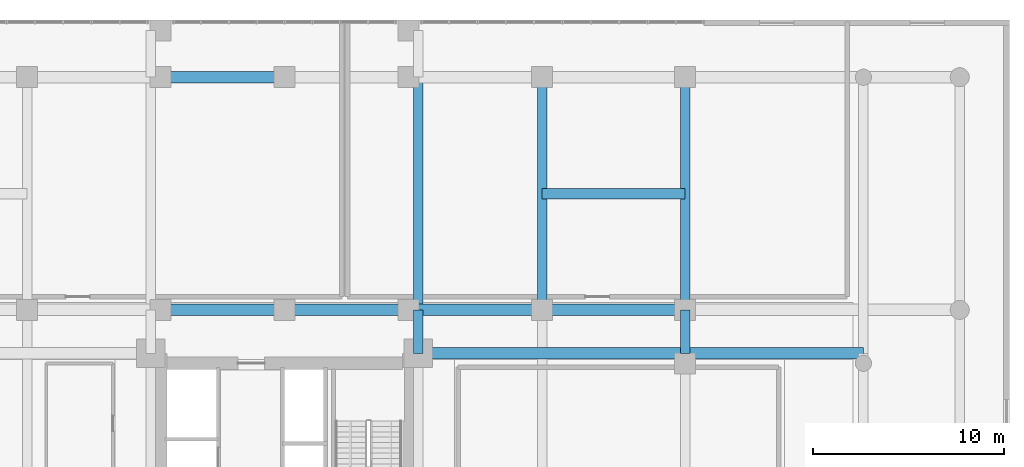
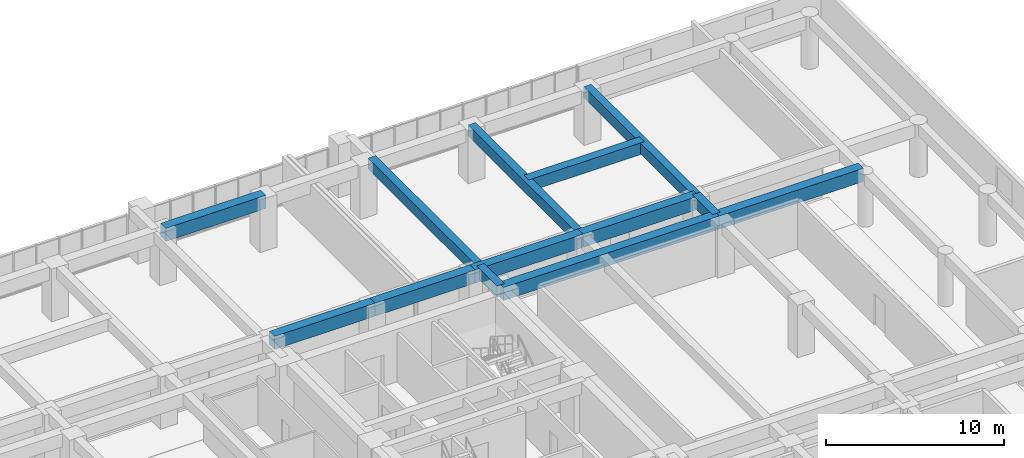
# One storey, part 11 of 30: 13 beams.
"""IFC4 building model written with IfcOpenShell, lengths in metres."""

from ifc_helpers import new_model, si_unit, direction, frame, origin, origin_2d, place, context, subcontext, project, spatial, rectangle, extrude, source, transform, mapped, material, material_profile, profile_set, type_object, element, save


model = new_model("IFC4")

# Units and contexts
model_context = context("Model", 3, precision=1e-05, world=origin(), true_north=direction((0.0, 1.0)))
body_context = subcontext(model_context, "Body", "Model", "MODEL_VIEW")
ifc_project = project(units=[si_unit("LENGTHUNIT", "METRE"), si_unit("AREAUNIT", "SQUARE_METRE"), si_unit("VOLUMEUNIT", "CUBIC_METRE"), si_unit("PLANEANGLEUNIT", "RADIAN"), si_unit("MASSUNIT", "GRAM", prefix="KILO")], contexts=[model_context])

# Site, building, storey
site_placement = place(None, origin())
site = spatial("IfcSite", under=ifc_project, at=site_placement, CompositionType="ELEMENT")
building_placement = place(site_placement, origin())
building = spatial("IfcBuilding", under=site, at=building_placement, Name="Saelheon Loggia Tower", CompositionType="ELEMENT")
storey_placement = place(building_placement, frame((0.0, 0.0, 7.800048828125)))
storey = spatial("IfcBuildingStorey", under=building, at=storey_placement, Name="L02", CompositionType="ELEMENT", Elevation=7.800048828125)

# Beams
ifc_material_1 = material(Name="Concrete C50/60", Category="concrete")
ifc_material_profile_1 = material_profile(ifc_material_1, rectangle(XDim=0.60009765625, YDim=0.89990234375, at=origin_2d()), Name="RC-600x900")
ifc_profile_set_1 = profile_set([ifc_material_profile_1], Name="Concrete C50/60")
beam_type_1 = type_object("IfcBeamType", Name="Beam_MainGirder_RC600x900", PredefinedType="BEAM", material=ifc_profile_set_1)
shared_shape_1 = source(origin(), body_context, "Body", "SweptSolid", [
    extrude(rectangle(XDim=0.60009765625, YDim=0.89990234375, at=origin_2d()), origin(), (0.0, 0.0, 1.0), 7.5),
])
beam_1_placement = place(storey_placement, frame((51.5, 38.800048828125, 3.14990234375), z_axis=(1.0, 0.0, 0.0), x_axis=(0.0, 1.0, 0.0)))
element("IfcBeam", 1, at=beam_1_placement, inside=storey, type_object=beam_type_1, Name="BM-L02-EW-38-7", PredefinedType="BEAM", context=body_context, shape_type="MappedRepresentation", body=[
    mapped(shared_shape_1, transform((0.0, 0.0, 0.0), scale=1.0)),
])
shared_shape_2 = source(origin(), body_context, "Body", "SweptSolid", [
    extrude(rectangle(XDim=0.60009765625, YDim=0.89990234375, at=origin_2d()), origin(), (0.0, 0.0, 1.0), 7.0),
])
beam_2_placement = place(storey_placement, frame((44.5, 38.800048828125, 3.14990234375), z_axis=(1.0, 0.0, 0.0), x_axis=(0.0, 1.0, 0.0)))
element("IfcBeam", 2, at=beam_2_placement, inside=storey, type_object=beam_type_1, Name="BM-L02-EW-38-6", PredefinedType="BEAM", context=body_context, shape_type="MappedRepresentation", body=[
    mapped(shared_shape_2, transform((0.0, 0.0, 0.0), scale=1.0)),
])
shared_shape_3 = source(origin(), body_context, "Body", "SweptSolid", [
    extrude(rectangle(XDim=0.60009765625, YDim=0.89990234375, at=origin_2d()), origin(), (0.0, 0.0, 1.0), 6.5),
])
for number, where, z_axis, x_axis, name in (
    (3, (31.5, 38.800048828125, 3.14990234375), (1.0, 0.0, 0.0), (0.0, 1.0, 0.0), "BM-L02-EW-38-4"),
    (4, (38.0, 38.800048828125, 3.14990234375), (1.0, 0.0, 0.0), (0.0, 1.0, 0.0), "BM-L02-EW-38-5"),
    (5, (31.5, 51.0, 3.14990234375), (1.0, 0.0, 0.0), (0.0, 1.0, 0.0), "BM-L02-EW-51-5"),
):
    element("IfcBeam", number, at=place(storey_placement, frame(where, z_axis=z_axis, x_axis=x_axis)), inside=storey, type_object=beam_type_1, Name=name, PredefinedType="BEAM", context=body_context, shape_type="MappedRepresentation", body=[
        mapped(shared_shape_3, transform((0.0, 0.0, 0.0), scale=1.0)),
    ])
shared_shape_4 = source(origin(), body_context, "Body", "SweptSolid", [
    extrude(rectangle(XDim=0.60009765625, YDim=0.89990234375, at=origin_2d()), origin(), (0.0, 0.0, 1.0), 9.35009765625),
])
beam_3_placement = place(storey_placement, frame((59.0, 36.52001953125, 3.14990234375), z_axis=(1.0, 0.0, 0.0), x_axis=(0.0, 1.0, 0.0)))
element("IfcBeam", 6, at=beam_3_placement, inside=storey, type_object=beam_type_1, Name="BM-L02-CT-36-E1", PredefinedType="BEAM", context=body_context, shape_type="MappedRepresentation", body=[
    mapped(shared_shape_4, transform((0.0, 0.0, 0.0), scale=1.0)),
])
shared_shape_5 = source(origin(), body_context, "Body", "SweptSolid", [
    extrude(rectangle(XDim=0.60009765625, YDim=0.89990234375, at=origin_2d()), origin(), (0.0, 0.0, 1.0), 13.97998046875),
])
beam_4_placement = place(storey_placement, frame((45.02001953125, 36.52001953125, 3.14990234375), z_axis=(1.0, 0.0, 0.0), x_axis=(0.0, 1.0, 0.0)))
element("IfcBeam", 7, at=beam_4_placement, inside=storey, type_object=beam_type_1, Name="BM-L02-CT-36-E2", PredefinedType="BEAM", context=body_context, shape_type="MappedRepresentation", body=[
    mapped(shared_shape_5, transform((0.0, 0.0, 0.0), scale=1.0)),
])
ifc_material_2 = material(Name="Concrete C45/55", Category="concrete")
ifc_material_profile_2 = material_profile(ifc_material_2, rectangle(XDim=0.5, YDim=0.75, at=origin_2d()), Name="RC-500x750")
ifc_profile_set_2 = profile_set([ifc_material_profile_2], Name="Concrete C45/55")
beam_type_2 = type_object("IfcBeamType", Name="Beam_FloorGirder_RC500x750", PredefinedType="BEAM", material=ifc_profile_set_2)
shared_shape_6 = source(origin(), body_context, "Body", "SweptSolid", [
    extrude(rectangle(XDim=0.5, YDim=0.75, at=origin_2d()), origin(), (0.0, 0.0, 1.0), 12.199951171875),
])
for number, where, z_axis, x_axis, name in (
    (8, (45.02001953125, 38.800048828125, 3.224853515625), (0.0, 1.0, 0.0), (-1.0, 0.0, 0.0), "BM-L02-NS-45-6"),
    (9, (51.5, 38.800048828125, 3.224853515625), (0.0, 1.0, 0.0), (-1.0, 0.0, 0.0), "BM-L02-NS-51-3"),
    (10, (59.0, 38.800048828125, 3.224853515625), (0.0, 1.0, 0.0), (-1.0, 0.0, 0.0), "BM-L02-NS-59-6"),
):
    element("IfcBeam", number, at=place(storey_placement, frame(where, z_axis=z_axis, x_axis=x_axis)), inside=storey, type_object=beam_type_2, Name=name, PredefinedType="BEAM", context=body_context, shape_type="MappedRepresentation", body=[
        mapped(shared_shape_6, transform((0.0, 0.0, 0.0), scale=1.0)),
    ])
shared_shape_7 = source(origin(), body_context, "Body", "SweptSolid", [
    extrude(rectangle(XDim=0.5, YDim=0.75, at=origin_2d()), origin(), (0.0, 0.0, 1.0), 2.280029296875),
])
for number, where, z_axis, x_axis, name in (
    (11, (45.02001953125, 36.52001953125, 3.224853515625), (0.0, 1.0, 0.0), (-1.0, 0.0, 0.0), "BM-L02-NS-45-5"),
    (12, (59.0, 36.52001953125, 3.224853515625), (0.0, 1.0, 0.0), (-1.0, 0.0, 0.0), "BM-L02-NS-59-5"),
):
    element("IfcBeam", number, at=place(storey_placement, frame(where, z_axis=z_axis, x_axis=x_axis)), inside=storey, type_object=beam_type_2, Name=name, PredefinedType="BEAM", context=body_context, shape_type="MappedRepresentation", body=[
        mapped(shared_shape_7, transform((0.0, 0.0, 0.0), scale=1.0)),
    ])
ifc_material_profile_3 = material_profile(ifc_material_2, rectangle(XDim=0.550048828125, YDim=0.800048828125, at=origin_2d()), Name="RC-550x800")
ifc_profile_set_3 = profile_set([ifc_material_profile_3], Name="Concrete C45/55")
beam_type_3 = type_object("IfcBeamType", Name="Beam_ClinicGirder_RC550x800", PredefinedType="BEAM", material=ifc_profile_set_3)
shared_shape_8 = source(origin(), body_context, "Body", "SweptSolid", [
    extrude(rectangle(XDim=0.550048828125, YDim=0.800048828125, at=origin_2d()), origin(), (0.0, 0.0, 1.0), 7.5),
])
beam_5_placement = place(storey_placement, frame((51.5, 44.89990234375, 3.199951171875), z_axis=(1.0, 0.0, 0.0), x_axis=(0.0, 1.0, 0.0)))
element("IfcBeam", 13, at=beam_5_placement, inside=storey, type_object=beam_type_3, Name="JST-L02-CL-NE", PredefinedType="BEAM", context=body_context, shape_type="MappedRepresentation", body=[
    mapped(shared_shape_8, transform((0.0, 0.0, 0.0), scale=1.0)),
])

save(model, "model.ifc")
